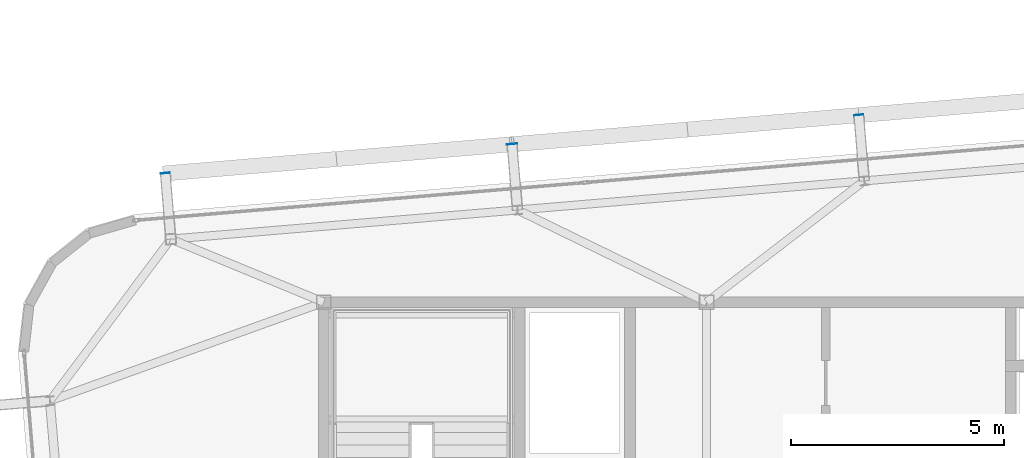
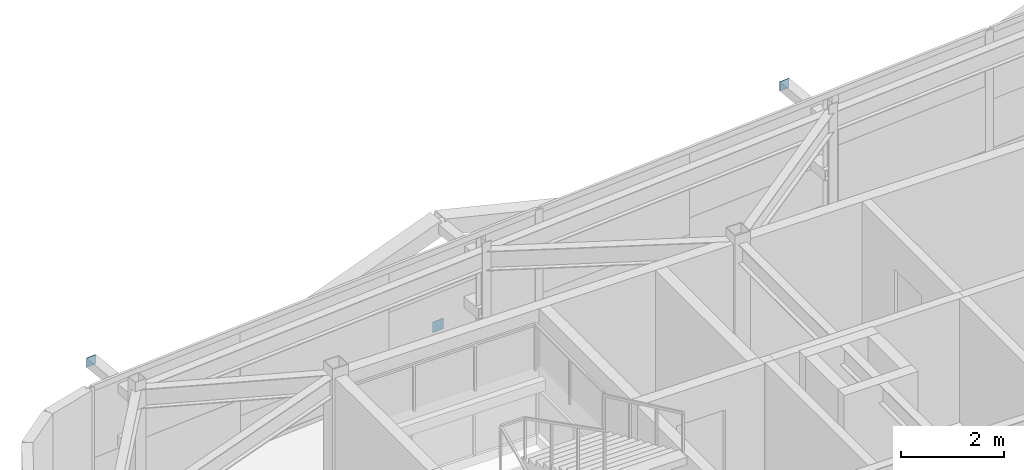
# One storey, part 32 of 39: 3 plates.
"""IFC4 building model written with IfcOpenShell, lengths in metres."""

from ifc_helpers import new_model, si_unit, direction, frame, origin, origin_2d, place, context, subcontext, project, spatial, rectangle, extrude, source, transform, mapped, material, layer, layer_set, type_object, element, save


model = new_model("IFC4")

# Units and contexts
model_context = context("Model", 3, precision=1e-05, world=origin(), true_north=direction((0.0, 1.0)))
body_context = subcontext(model_context, "Body", "Model", "MODEL_VIEW")
ifc_project = project(units=[si_unit("LENGTHUNIT", "METRE"), si_unit("AREAUNIT", "SQUARE_METRE"), si_unit("VOLUMEUNIT", "CUBIC_METRE"), si_unit("PLANEANGLEUNIT", "RADIAN"), si_unit("MASSUNIT", "GRAM", prefix="KILO")], contexts=[model_context])

# Site, building, storey
site_placement = place(None, origin())
site = spatial("IfcSite", under=ifc_project, at=site_placement, CompositionType="ELEMENT")
building_placement = place(site_placement, origin())
building = spatial("IfcBuilding", under=site, at=building_placement, Name="Taldren Reach Tower", CompositionType="ELEMENT")
storey_placement = place(building_placement, frame((0.0, 0.0, 178.85009765625)))
storey = spatial("IfcBuildingStorey", under=building, at=storey_placement, Name="L54", CompositionType="ELEMENT", Elevation=178.85009765625)

# Plates
ifc_material_1 = material(Name="Steel Gr 350 (C350L0)", Category="steel")
ifc_layer_1 = layer(ifc_material_1, 0.011962890625)
ifc_layer_set_1 = layer_set([ifc_layer_1], Name="Steel Gr 350 (C350L0)")
plate_type_1 = type_object("IfcPlateType", Name="PL-CAP-250", PredefinedType="SHEET", material=ifc_layer_set_1)
shared_shape_1 = source(origin(), body_context, "Body", "SweptSolid", [
    extrude(rectangle(XDim=0.25, YDim=0.011962890625, at=origin_2d()), origin(), (0.0, 0.0, 1.0), 0.25),
])
plate_placement = place(storey_placement, frame((23.4248046875, 35.718505859375, 0.094970703125), z_axis=(0.0, 0.0, 1.0), x_axis=(0.99649285925, 0.083677843332, 0.0)))
element("IfcPlate", 1, at=plate_placement, inside=storey, type_object=plate_type_1, Name="Tie strut end cap plate B4-N2 L54", PredefinedType="SHEET", context=body_context, shape_type="MappedRepresentation", body=[
    mapped(shared_shape_1, transform((0.0, 0.0, 0.0), scale=1.0)),
])
ifc_material_2 = material(Name="Steel Gr 450 (C450L0)", Category="steel")
ifc_layer_2 = layer(ifc_material_2, 0.011962890625)
ifc_layer_set_2 = layer_set([ifc_layer_2], Name="Steel Gr 450 (C450L0)")
plate_type_2 = type_object("IfcPlateType", Name="PL-CAP-220", PredefinedType="SHEET", material=ifc_layer_set_2)
shared_shape_2 = source(origin(), body_context, "Body", "SweptSolid", [
    extrude(rectangle(XDim=0.219970703125, YDim=0.011962890625, at=origin_2d()), origin(), (0.0, 0.0, 1.0), 0.219970703125),
])
for number, where, z_axis, x_axis, name in (
    (2, (15.273681640625, 35.0341796875, 2.5400390625), (0.0, 0.0, 1.0), (0.99649285925, 0.083677843332, 0.0), "Tie strut end cap plate B4-N1 L54"),
    (3, (31.576171875, 36.403076171875, 2.5400390625), (0.0, 0.0, 1.0), (0.99649285925, 0.083677843332, 0.0), "Tie strut end cap plate B4-N3 L54"),
):
    element("IfcPlate", number, at=place(storey_placement, frame(where, z_axis=z_axis, x_axis=x_axis)), inside=storey, type_object=plate_type_2, Name=name, PredefinedType="SHEET", context=body_context, shape_type="MappedRepresentation", body=[
        mapped(shared_shape_2, transform((0.0, 0.0, 0.0), scale=1.0)),
    ])

save(model, "model.ifc")
